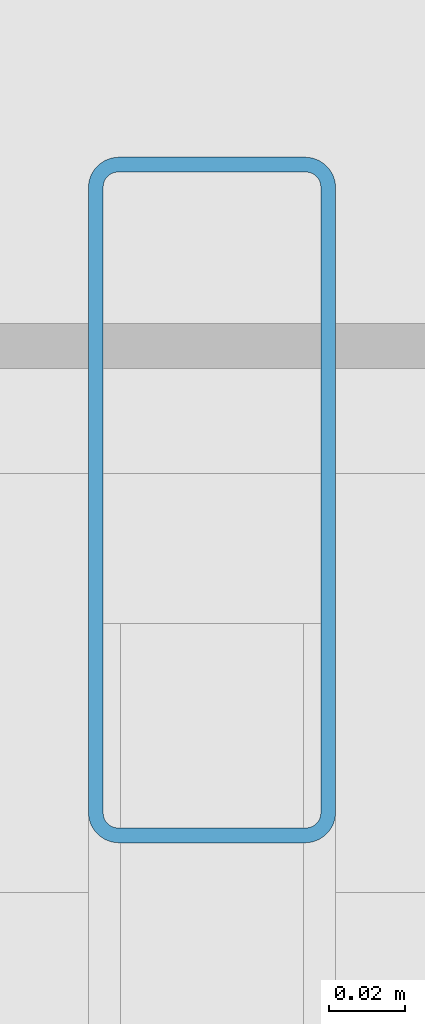
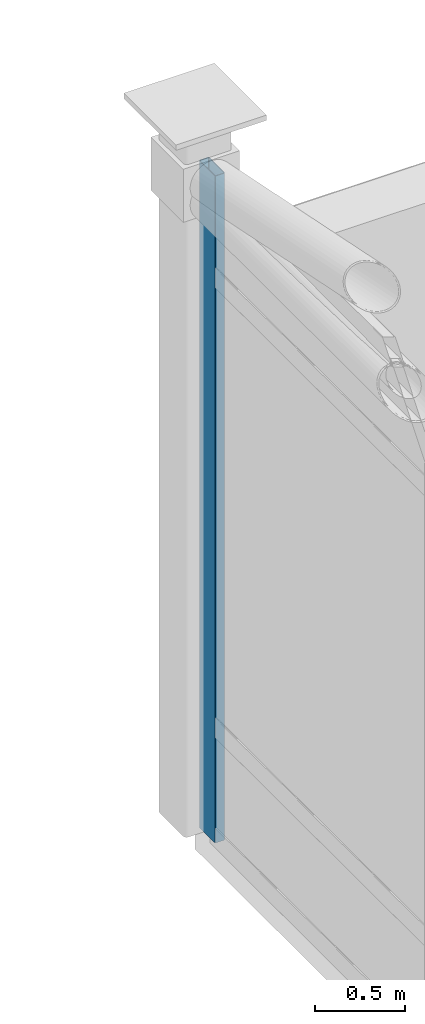
# One storey, part 30 of 117: 1 member, 1 element without a shape of its own.
"""IFC4 building model written with IfcOpenShell, lengths in metres."""

from ifc_helpers import new_model, si_unit, direction, frame, origin, origin_2d, place, context, subcontext, project, spatial, hollow_rectangle, extrude, material, material_profile, profile_set, type_object, element, aggregate, save


model = new_model("IFC4")

# Units and contexts
model_context = context("Model", 3, precision=1e-05, world=origin(), true_north=direction((0.0, 1.0)))
body_context = subcontext(model_context, "Body", "Model", "MODEL_VIEW")
ifc_project = project(units=[si_unit("LENGTHUNIT", "METRE"), si_unit("AREAUNIT", "SQUARE_METRE"), si_unit("VOLUMEUNIT", "CUBIC_METRE"), si_unit("PLANEANGLEUNIT", "RADIAN"), si_unit("MASSUNIT", "GRAM", prefix="KILO")], contexts=[model_context])

# Site, building, storey
site_placement = place(None, origin())
site = spatial("IfcSite", under=ifc_project, at=site_placement, CompositionType="ELEMENT")
building_placement = place(site_placement, origin())
building = spatial("IfcBuilding", under=site, at=building_placement, Name="Solmirada Galleria", CompositionType="ELEMENT")
storey_placement = place(building_placement, frame((0.0, 0.0, 5.60009765625)))
storey = spatial("IfcBuildingStorey", under=building, at=storey_placement, Name="L01", CompositionType="ELEMENT", Elevation=5.60009765625)

# Curtain wall, member
ifc_material_1 = material(Name="Impact-resistant low-E double glazing", Category="glass")
curtain_wall_type = type_object("IfcCurtainWallType", Name="CW-FZ1-L01-B3-L076", PredefinedType="NOTDEFINED", material=ifc_material_1)
curtain_wall_placement = place(storey_placement, origin())
curtain_wall = element("IfcCurtainWall", 1, at=curtain_wall_placement, inside=storey, type_object=curtain_wall_type, Name="Terrace and arcade storefront CW-L01-082", PredefinedType="NOTDEFINED")
ifc_material_2 = material(Name="Anodised aluminium framing", Category="aluminium")
ifc_material_profile = material_profile(ifc_material_2, hollow_rectangle(XDim=0.06494140625, YDim=0.179931640625, WallThickness=0.00390625, InnerFilletRadius=0.00390625, OuterFilletRadius=0.008056640625, at=origin_2d()), Name="ALU-MULL-180X65")
ifc_profile_set = profile_set([ifc_material_profile], Name="Anodised aluminium framing")
member_type = type_object("IfcMemberType", Name="CW-MULL-180", PredefinedType="MULLION", material=ifc_profile_set)
member_placement = place(storey_placement, frame((40.0, 39.81298828125, 0.0), z_axis=(0.0, 0.0, 1.0), x_axis=(-1.0, 0.0, 0.0)))
member = element("IfcMember", 2, at=member_placement, type_object=member_type, Name="CW20 mullion 4", PredefinedType="MULLION", context=body_context, shape_type="SweptSolid", body=[
    extrude(hollow_rectangle(XDim=0.06494140625, YDim=0.179931640625, WallThickness=0.00390625, InnerFilletRadius=0.00390625, OuterFilletRadius=0.008056640625, at=origin_2d()), origin(), (0.0, 0.0, 1.0), 4.52001953125),
])
aggregate(curtain_wall, [member])

save(model, "model.ifc")
